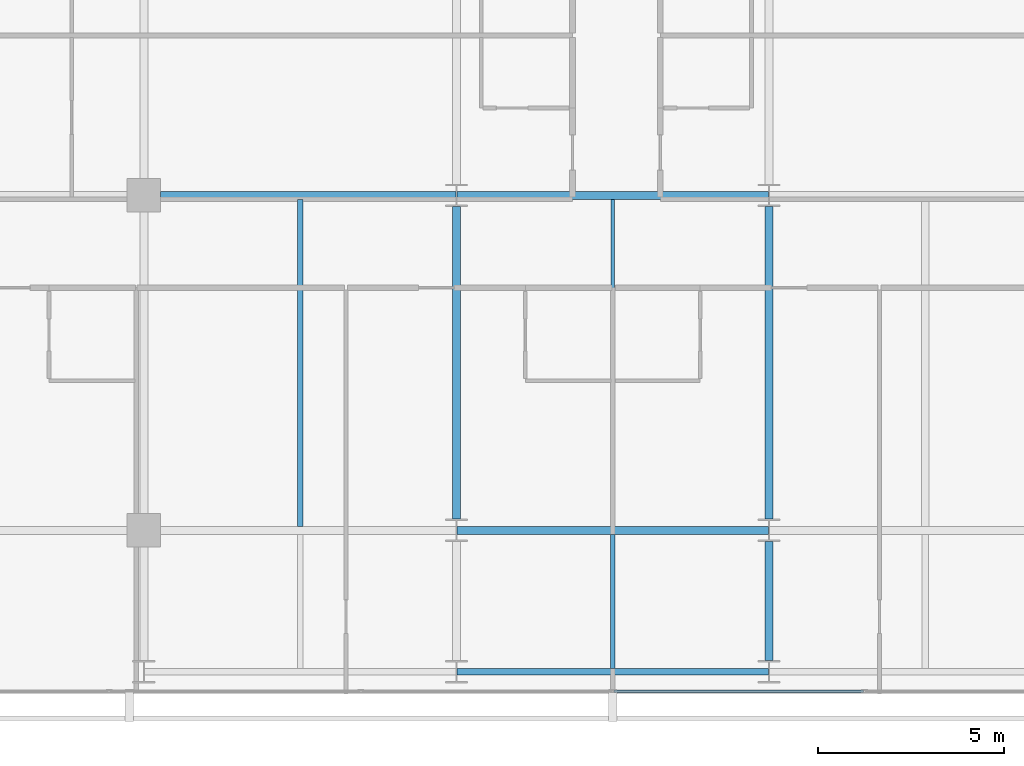
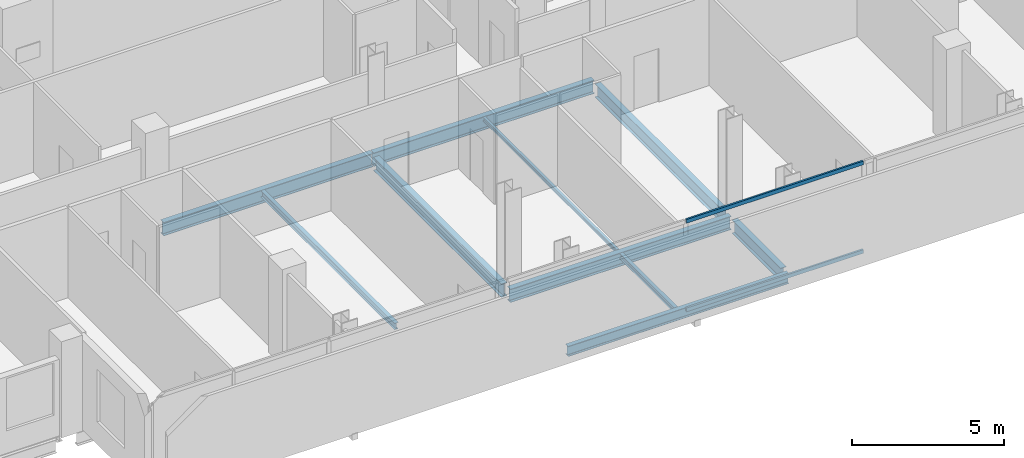
# One storey, part 7 of 34: 10 beams, 2 members, 1 element without a shape of its own.
"""IFC4 building model written with IfcOpenShell, lengths in metres."""

from ifc_helpers import new_model, si_unit, direction, frame, origin, origin_2d, place, context, subcontext, project, spatial, hollow_rectangle, i_section, extrude, material, layer, layer_set, material_profile, profile_set, type_object, element, aggregate, save


model = new_model("IFC4")

# Units and contexts
model_context = context("Model", 3, precision=1e-05, world=origin(), true_north=direction((0.0, 1.0)))
body_context = subcontext(model_context, "Body", "Model", "MODEL_VIEW")
ifc_project = project(units=[si_unit("LENGTHUNIT", "METRE"), si_unit("AREAUNIT", "SQUARE_METRE"), si_unit("VOLUMEUNIT", "CUBIC_METRE"), si_unit("PLANEANGLEUNIT", "RADIAN"), si_unit("MASSUNIT", "GRAM", prefix="KILO")], contexts=[model_context])

# Site, building, storey
site_placement = place(None, origin())
site = spatial("IfcSite", under=ifc_project, at=site_placement, CompositionType="ELEMENT")
building_placement = place(site_placement, origin())
building = spatial("IfcBuilding", under=site, at=building_placement, Name="Maruvema Waterfront Hotel and Observation Tower", CompositionType="ELEMENT")
storey_placement = place(building_placement, frame((0.0, 0.0, 208.25)))
storey = spatial("IfcBuildingStorey", under=building, at=storey_placement, Name="L51", CompositionType="ELEMENT", Elevation=208.25)

# Curtain wall, members
ifc_material_1 = material(Name="Anodised bronze aluminium and solar-control low-E IGU", Category="aluminium")
ifc_layer = layer(ifc_material_1, 0.159912109375, Name="Zone 2 Amber Inner Thermal Curtain Wall System CW-03")
ifc_layer_set = layer_set([ifc_layer], Name="Anodised bronze aluminium and solar-control low-E IGU")
curtain_wall_type = type_object("IfcCurtainWallType", Name="Zone 2 Amber Inner Thermal Curtain Wall System CW-03", PredefinedType="USERDEFINED", material=ifc_layer_set)
curtain_wall_placement = place(storey_placement, origin())
curtain_wall = element("IfcCurtainWall", 1, at=curtain_wall_placement, inside=storey, type_object=curtain_wall_type, Name="L51 Curtain Wall CW-L51-S", ObjectType="UNITISED CURTAIN WALL", PredefinedType="USERDEFINED")
ifc_material_2 = material(Name="Anodised architectural bronze aluminium", Category="aluminium")
ifc_material_profile_1 = material_profile(ifc_material_2, hollow_rectangle(XDim=0.070068359375, YDim=0.14990234375, WallThickness=0.00390625, at=origin_2d()), Name="ALU-T70x150")
ifc_profile_set_1 = profile_set([ifc_material_profile_1], Name="Anodised architectural bronze aluminium")
member_type = type_object("IfcMemberType", Name="Curtain Wall Horizontal Transom ALU-T70x150", PredefinedType="USERDEFINED", material=ifc_profile_set_1)
member_1_placement = place(storey_placement, frame((37.830078125, 4.679931640625, 0.030029296875), z_axis=(1.0, 0.0, 0.0), x_axis=(0.0, 1.0, 0.0)))
member_1 = element("IfcMember", 2, at=member_1_placement, type_object=member_type, Name="CW-03 transom 4.1", ObjectType="TRANSOM", PredefinedType="USERDEFINED", context=body_context, shape_type="SweptSolid", body=[
    extrude(hollow_rectangle(XDim=0.070068359375, YDim=0.14990234375, WallThickness=0.00390625, at=origin_2d()), origin(), (0.0, 0.0, 1.0), 6.70654296875),
])
member_2_placement = place(storey_placement, frame((37.830078125, 4.679931640625, 3.580078125), z_axis=(1.0, 0.0, 0.0), x_axis=(0.0, 1.0, 0.0)))
member_2 = element("IfcMember", 3, at=member_2_placement, type_object=member_type, Name="CW-03 transom 4.2", ObjectType="TRANSOM", PredefinedType="USERDEFINED", context=body_context, shape_type="SweptSolid", body=[
    extrude(hollow_rectangle(XDim=0.070068359375, YDim=0.14990234375, WallThickness=0.00390625, at=origin_2d()), origin(), (0.0, 0.0, 1.0), 6.70654296875),
])
aggregate(curtain_wall, [member_1, member_2])

# Beams
ifc_material_3 = material(Name="Steel ASTM A572 Grade 50", Category="steel")
ifc_material_profile_2 = material_profile(ifc_material_3, i_section(OverallWidth=0.178955078125, OverallDepth=0.409912109375, WebThickness=0.0087890625, FlangeThickness=0.014404296875, FilletRadius=0.014892578125, at=origin_2d()), Name="W410x67.0")
ifc_profile_set_2 = profile_set([ifc_material_profile_2], Name="Steel ASTM A572 Grade 50")
beam_type_1 = type_object("IfcBeamType", Name="Perimeter Spandrel Beam W410x67.0", PredefinedType="SPANDREL", material=ifc_profile_set_2)
beam_1_placement = place(storey_placement, frame((33.612548828125, 5.199951171875, -0.445068359375), z_axis=(1.0, 0.0, 0.0), x_axis=(0.0, 1.0, 0.0)))
element("IfcBeam", 4, at=beam_1_placement, inside=storey, type_object=beam_type_1, Name="L51 Floor Girder EW-02", PredefinedType="SPANDREL", context=body_context, shape_type="SweptSolid", body=[
    extrude(i_section(OverallWidth=0.178955078125, OverallDepth=0.409912109375, WebThickness=0.0087890625, FlangeThickness=0.014404296875, FilletRadius=0.014892578125, at=origin_2d()), origin(), (0.0, 0.0, 1.0), 8.375),
])
ifc_material_4 = material(Name="Steel ASTM A572 Grade 50", Category="steel")
ifc_material_profile_3 = material_profile(ifc_material_4, i_section(OverallWidth=0.2109375, OverallDepth=0.5390625, WebThickness=0.01171875, FlangeThickness=0.018798828125, FilletRadius=0.014892578125, at=origin_2d()), Name="W530x109.0")
ifc_profile_set_3 = profile_set([ifc_material_profile_3], Name="Steel ASTM A572 Grade 50")
beam_type_2 = type_object("IfcBeamType", Name="Primary Floor Girder W530x109.0", PredefinedType="BEAM", material=ifc_profile_set_3)
beam_2_placement = place(storey_placement, frame((33.612548828125, 9.0, -0.509521484375), z_axis=(1.0, 0.0, 0.0), x_axis=(0.0, 1.0, 0.0)))
element("IfcBeam", 5, at=beam_2_placement, inside=storey, type_object=beam_type_2, Name="L51 Floor Girder EW-07", PredefinedType="BEAM", context=body_context, shape_type="SweptSolid", body=[
    extrude(i_section(OverallWidth=0.2109375, OverallDepth=0.5390625, WebThickness=0.01171875, FlangeThickness=0.018798828125, FilletRadius=0.014892578125, at=origin_2d()), origin(), (0.0, 0.0, 1.0), 8.375),
])
beam_3_placement = place(storey_placement, frame((25.64990234375, 18.0, -0.509521484375), z_axis=(1.0, 0.0, 0.0), x_axis=(0.0, 1.0, 0.0)))
element("IfcBeam", 6, at=beam_3_placement, inside=storey, type_object=beam_type_2, Name="L51 Floor Girder EW-13", PredefinedType="BEAM", context=body_context, shape_type="SweptSolid", body=[
    extrude(i_section(OverallWidth=0.2109375, OverallDepth=0.5390625, WebThickness=0.01171875, FlangeThickness=0.018798828125, FilletRadius=0.014892578125, at=origin_2d()), origin(), (0.0, 0.0, 1.0), 7.9375),
])
beam_4_placement = place(storey_placement, frame((33.612548828125, 18.0, -0.509521484375), z_axis=(1.0, 0.0, 0.0), x_axis=(0.0, 1.0, 0.0)))
element("IfcBeam", 7, at=beam_4_placement, inside=storey, type_object=beam_type_2, Name="L51 Floor Girder EW-14", PredefinedType="BEAM", context=body_context, shape_type="SweptSolid", body=[
    extrude(i_section(OverallWidth=0.2109375, OverallDepth=0.5390625, WebThickness=0.01171875, FlangeThickness=0.018798828125, FilletRadius=0.014892578125, at=origin_2d()), origin(), (0.0, 0.0, 1.0), 8.375),
])
beam_5_placement = place(storey_placement, frame((33.60009765625, 9.300048828125, -0.509521484375), z_axis=(0.0, 1.0, 0.0), x_axis=(-1.0, 0.0, 0.0)))
element("IfcBeam", 8, at=beam_5_placement, inside=storey, type_object=beam_type_2, Name="L51 Floor Girder NS-15", PredefinedType="BEAM", context=body_context, shape_type="SweptSolid", body=[
    extrude(i_section(OverallWidth=0.2109375, OverallDepth=0.5390625, WebThickness=0.01171875, FlangeThickness=0.018798828125, FilletRadius=0.014892578125, at=origin_2d()), origin(), (0.0, 0.0, 1.0), 8.39990234375),
])
beam_6_placement = place(storey_placement, frame((42.0, 5.5, -0.509521484375), z_axis=(0.0, 1.0, 0.0), x_axis=(-1.0, 0.0, 0.0)))
element("IfcBeam", 9, at=beam_6_placement, inside=storey, type_object=beam_type_2, Name="L51 Floor Girder NS-17", PredefinedType="BEAM", context=body_context, shape_type="SweptSolid", body=[
    extrude(i_section(OverallWidth=0.2109375, OverallDepth=0.5390625, WebThickness=0.01171875, FlangeThickness=0.018798828125, FilletRadius=0.014892578125, at=origin_2d()), origin(), (0.0, 0.0, 1.0), 3.199951171875),
])
beam_7_placement = place(storey_placement, frame((42.0, 9.300048828125, -0.509521484375), z_axis=(0.0, 1.0, 0.0), x_axis=(-1.0, 0.0, 0.0)))
element("IfcBeam", 10, at=beam_7_placement, inside=storey, type_object=beam_type_2, Name="L51 Floor Girder NS-18", PredefinedType="BEAM", context=body_context, shape_type="SweptSolid", body=[
    extrude(i_section(OverallWidth=0.2109375, OverallDepth=0.5390625, WebThickness=0.01171875, FlangeThickness=0.018798828125, FilletRadius=0.014892578125, at=origin_2d()), origin(), (0.0, 0.0, 1.0), 8.39990234375),
])
ifc_material_5 = material(Name="Steel ASTM A572 Grade 50", Category="steel")
ifc_material_profile_4 = material_profile(ifc_material_5, i_section(OverallWidth=0.10009765625, OverallDepth=0.153076171875, WebThickness=0.005859375, FlangeThickness=0.007080078125, FilletRadius=0.008056640625, at=origin_2d()), Name="W150x18.0")
ifc_profile_set_4 = profile_set([ifc_material_profile_4], Name="Steel ASTM A572 Grade 50")
beam_type_3 = type_object("IfcBeamType", Name="Secondary Floor Joist W150x18.0", PredefinedType="JOIST", material=ifc_profile_set_4)
beam_8_placement = place(storey_placement, frame((37.800048828125, 9.10546875, -0.31640625), z_axis=(0.0, 1.0, 0.0), x_axis=(-1.0, 0.0, 0.0)))
element("IfcBeam", 11, at=beam_8_placement, inside=storey, type_object=beam_type_3, Name="L51 Secondary Floor Joist JS-08", PredefinedType="JOIST", context=body_context, shape_type="SweptSolid", body=[
    extrude(i_section(OverallWidth=0.10009765625, OverallDepth=0.153076171875, WebThickness=0.005859375, FlangeThickness=0.007080078125, FilletRadius=0.008056640625, at=origin_2d()), origin(), (0.0, 0.0, 1.0), 8.7890625),
])
ifc_material_6 = material(Name="Steel ASTM A572 Grade 50", Category="steel")
ifc_material_profile_5 = material_profile(ifc_material_6, i_section(OverallWidth=0.133056640625, OverallDepth=0.20703125, WebThickness=0.005859375, FlangeThickness=0.00830078125, FilletRadius=0.010009765625, at=origin_2d()), Name="W200x26.6")
ifc_profile_set_5 = profile_set([ifc_material_profile_5], Name="Steel ASTM A572 Grade 50")
beam_type_4 = type_object("IfcBeamType", Name="Secondary Floor Joist W200x26.6", PredefinedType="JOIST", material=ifc_profile_set_5)
beam_9_placement = place(storey_placement, frame((37.800048828125, 5.28955078125, -0.343505859375), z_axis=(0.0, 1.0, 0.0), x_axis=(-1.0, 0.0, 0.0)))
element("IfcBeam", 12, at=beam_9_placement, inside=storey, type_object=beam_type_4, Name="L51 Secondary Floor Joist JS-07", PredefinedType="JOIST", context=body_context, shape_type="SweptSolid", body=[
    extrude(i_section(OverallWidth=0.133056640625, OverallDepth=0.20703125, WebThickness=0.005859375, FlangeThickness=0.00830078125, FilletRadius=0.010009765625, at=origin_2d()), origin(), (0.0, 0.0, 1.0), 3.60498046875),
])
ifc_material_7 = material(Name="Steel ASTM A572 Grade 50", Category="steel")
ifc_material_profile_6 = material_profile(ifc_material_7, i_section(OverallWidth=0.14599609375, OverallDepth=0.258056640625, WebThickness=0.006103515625, FlangeThickness=0.009033203125, FilletRadius=0.012939453125, at=origin_2d()), Name="W250x32.7")
ifc_profile_set_6 = profile_set([ifc_material_profile_6], Name="Steel ASTM A572 Grade 50")
beam_type_5 = type_object("IfcBeamType", Name="Secondary Floor Joist W250x32.7", PredefinedType="JOIST", material=ifc_profile_set_6)
beam_10_placement = place(storey_placement, frame((29.39990234375, 9.10546875, -0.368896484375), z_axis=(0.0, 1.0, 0.0), x_axis=(-1.0, 0.0, 0.0)))
element("IfcBeam", 13, at=beam_10_placement, inside=storey, type_object=beam_type_5, Name="L51 Secondary Floor Joist JS-06", PredefinedType="JOIST", context=body_context, shape_type="SweptSolid", body=[
    extrude(i_section(OverallWidth=0.14599609375, OverallDepth=0.258056640625, WebThickness=0.006103515625, FlangeThickness=0.009033203125, FilletRadius=0.012939453125, at=origin_2d()), origin(), (0.0, 0.0, 1.0), 8.7890625),
])

save(model, "model.ifc")
